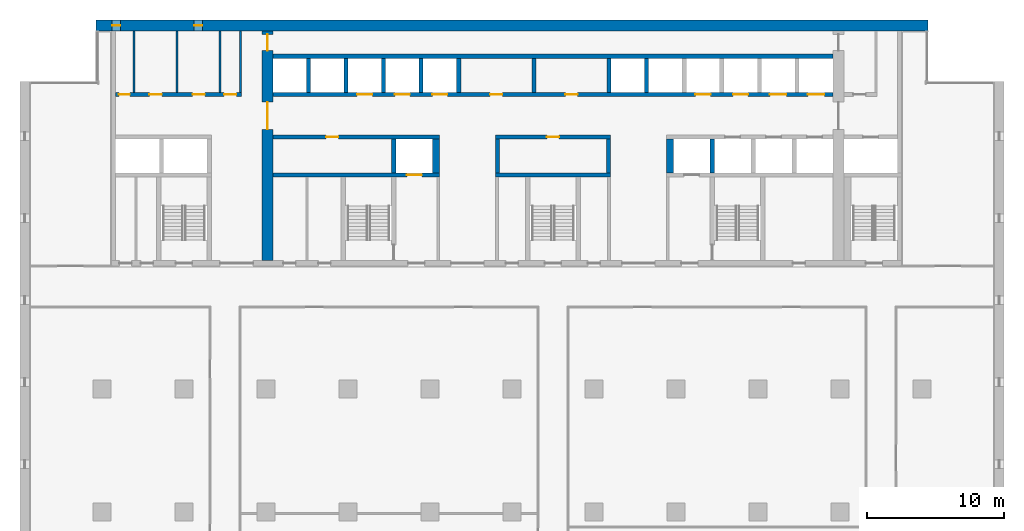
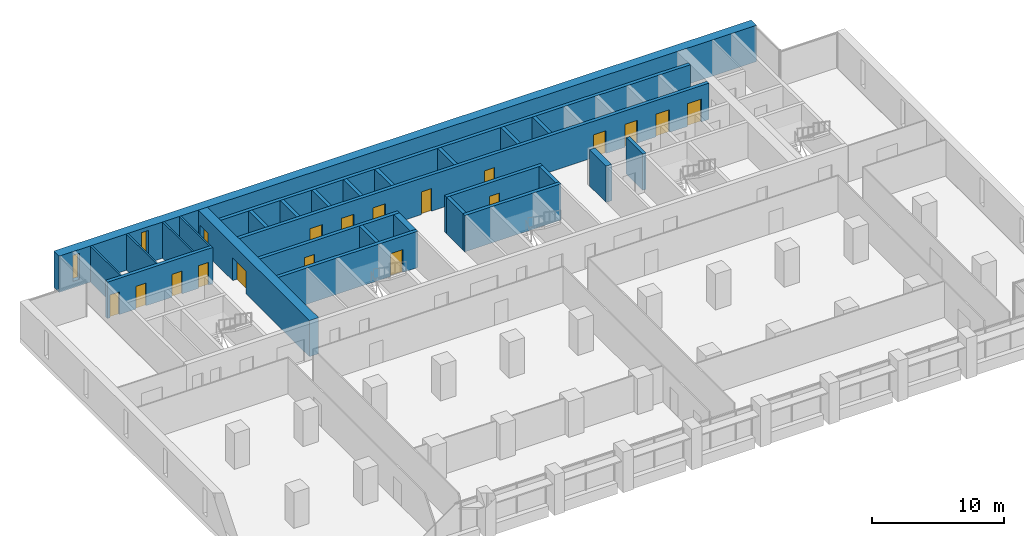
# One storey, part 10 of 15: 27 walls, 18 doors, 2 windows, 20 openings.
"""IFC4 building model written with IfcOpenShell, lengths in metres."""

from ifc_helpers import new_model, si_unit, direction, frame, frame_2d, origin, place, context, subcontext, project, spatial, rectangle, extrude, material, layer, layer_set, type_object, element, fill, save


model = new_model("IFC4")

# Units and contexts
model_context = context("Model", 3, precision=1e-05, world=origin(), true_north=direction((0.0, 1.0)))
body_context = subcontext(model_context, "Body", "Model", "MODEL_VIEW")
ifc_project = project(units=[si_unit("LENGTHUNIT", "METRE"), si_unit("AREAUNIT", "SQUARE_METRE"), si_unit("VOLUMEUNIT", "CUBIC_METRE"), si_unit("PLANEANGLEUNIT", "RADIAN"), si_unit("MASSUNIT", "GRAM", prefix="KILO")], contexts=[model_context])

# Site, building, storey
site_placement = place(None, origin())
site = spatial("IfcSite", under=ifc_project, at=site_placement, CompositionType="ELEMENT")
building_placement = place(site_placement, origin())
building = spatial("IfcBuilding", under=site, at=building_placement, Name="Calvaro Tower", CompositionType="ELEMENT")
storey_placement = place(building_placement, frame((0.0, 0.0, 117.5)))
storey = spatial("IfcBuildingStorey", under=building, at=storey_placement, Name="L29", CompositionType="ELEMENT", Elevation=117.5)

# Walls
ifc_material_1 = material(Name="Blockwork partition", Category="masonry")
ifc_layer_1 = layer(ifc_material_1, 0.14990234375)
ifc_layer_set_1 = layer_set([ifc_layer_1], Name="Blockwork partition")
wall_type_1 = type_object("IfcWallType", Name="Core partition 150 EI 60", PredefinedType="PARTITIONING", material=ifc_layer_set_1)
for number, where, z_axis, x_axis, name in (
    (1, (8.35009765625, 40.699951171875, 0.0), (0.0, 0.0, 1.0), (0.0, 1.0, 0.0), "Core partition"),
    (2, (11.5, 40.699951171875, 0.0), (0.0, 0.0, 1.0), (0.0, 1.0, 0.0), "Core partition"),
    (3, (14.64990234375, 40.699951171875, 0.0), (0.0, 0.0, 1.0), (0.0, 1.0, 0.0), "Core partition"),
):
    element("IfcWall", number, at=place(storey_placement, frame(where, z_axis=z_axis, x_axis=x_axis)), inside=storey, type_object=wall_type_1, Name=name, PredefinedType="PARTITIONING", context=body_context, shape_type="SweptSolid", body=[
        extrude(rectangle(XDim=4.5, YDim=0.14990234375, at=frame_2d((2.25, 0.0))), origin(), (0.0, 0.0, 1.0), 3.35009765625),
    ])
ifc_material_2 = material(Name="Blockwork partition", Category="masonry")
ifc_layer_2 = layer(ifc_material_2, 0.14990234375)
ifc_layer_set_2 = layer_set([ifc_layer_2], Name="Blockwork partition")
wall_type_2 = type_object("IfcWallType", Name="Core partition 150 REI 120", PredefinedType="PARTITIONING", material=ifc_layer_set_2)
wall_1_placement = place(storey_placement, frame((16.125, 40.699951171875, 0.0), z_axis=(0.0, 0.0, 1.0), x_axis=(0.0, 1.0, 0.0)))
element("IfcWall", 4, at=wall_1_placement, inside=storey, type_object=wall_type_2, Name="Core partition", PredefinedType="PARTITIONING", context=body_context, shape_type="SweptSolid", body=[
    extrude(rectangle(XDim=4.5, YDim=0.14990234375, at=frame_2d((2.25, 0.0))), origin(), (0.0, 0.0, 1.0), 3.35009765625),
])
ifc_material_3 = material(Name="Blockwork partition", Category="masonry")
ifc_layer_3 = layer(ifc_material_3, 0.300048828125)
ifc_layer_set_3 = layer_set([ifc_layer_3], Name="Blockwork partition")
wall_type_3 = type_object("IfcWallType", Name="Core partition 300 EI 60", PredefinedType="PARTITIONING", material=ifc_layer_set_3)
wall_2_placement = place(storey_placement, frame((37.60009765625, 40.699951171875, 0.0), z_axis=(0.0, 0.0, 1.0), x_axis=(0.0, 1.0, 0.0)))
element("IfcWall", 5, at=wall_2_placement, inside=storey, type_object=wall_type_3, Name="Core partition", PredefinedType="PARTITIONING", context=body_context, shape_type="SweptSolid", body=[
    extrude(rectangle(XDim=2.5, YDim=0.300048828125, at=frame_2d((1.25, 0.0))), origin(), (0.0, 0.0, 1.0), 3.35009765625),
])

# Wall, openings, doors
ifc_material_4 = material(Name="Blockwork partition", Category="masonry")
ifc_layer_4 = layer(ifc_material_4, 0.300048828125)
ifc_layer_set_4 = layer_set([ifc_layer_4], Name="Blockwork partition")
wall_type_4 = type_object("IfcWallType", Name="Core partition 300 REI 120", PredefinedType="PARTITIONING", material=ifc_layer_set_4)
wall_3_placement = place(storey_placement, frame((7.0, 40.550048828125, 0.0), z_axis=(0.0, 0.0, 1.0), x_axis=(1.0, 0.0, 0.0)))
wall_3 = element("IfcWall", 6, at=wall_3_placement, inside=storey, type_object=wall_type_4, Name="Core partition", PredefinedType="PARTITIONING", context=body_context, shape_type="SweptSolid", body=[
    extrude(rectangle(XDim=9.199951171875, YDim=0.300048828125, at=frame_2d((4.60009765625, 0.0))), origin(), (0.0, 0.0, 1.0), 3.35009765625),
])
opening_1_placement = place(wall_3_placement, frame((0.237548828125, 0.0, 0.0)))
opening_1 = element("IfcOpeningElement", 7, at=opening_1_placement, cuts=wall_3, Name="Opening RD8", PredefinedType="OPENING", context=body_context, shape_type="SweptSolid", body=[
    extrude(rectangle(XDim=0.800048828125, YDim=2.10009765625, at=frame_2d((0.39990234375, 1.050048828125))), frame((0.0, 0.159912109375, 0.0), z_axis=(0.0, -1.0, 0.0), x_axis=(1.0, 0.0, 0.0)), (0.0, 0.0, 1.0), 0.320068359375),
])
opening_2_placement = place(wall_3_placement, frame((2.47509765625, 0.0, 0.0)))
opening_2 = element("IfcOpeningElement", 8, at=opening_2_placement, cuts=wall_3, Name="Opening RD9", PredefinedType="OPENING", context=body_context, shape_type="SweptSolid", body=[
    extrude(rectangle(XDim=0.89990234375, YDim=2.10009765625, at=frame_2d((0.449951171875, 1.050048828125))), frame((0.0, 0.159912109375, 0.0), z_axis=(0.0, -1.0, 0.0), x_axis=(1.0, 0.0, 0.0)), (0.0, 0.0, 1.0), 0.320068359375),
])
opening_3_placement = place(wall_3_placement, frame((5.625, 0.0, 0.0)))
opening_3 = element("IfcOpeningElement", 9, at=opening_3_placement, cuts=wall_3, Name="Opening RD9", PredefinedType="OPENING", context=body_context, shape_type="SweptSolid", body=[
    extrude(rectangle(XDim=0.89990234375, YDim=2.10009765625, at=frame_2d((0.449951171875, 1.050048828125))), frame((0.0, 0.159912109375, 0.0), z_axis=(0.0, -1.0, 0.0), x_axis=(1.0, 0.0, 0.0)), (0.0, 0.0, 1.0), 0.320068359375),
])
opening_4_placement = place(wall_3_placement, frame((7.9375, 0.0, 0.0)))
opening_4 = element("IfcOpeningElement", 10, at=opening_4_placement, cuts=wall_3, Name="Opening RD9C", PredefinedType="OPENING", context=body_context, shape_type="SweptSolid", body=[
    extrude(rectangle(XDim=0.89990234375, YDim=2.10009765625, at=frame_2d((0.449951171875, 1.050048828125))), frame((0.0, 0.159912109375, 0.0), z_axis=(0.0, -1.0, 0.0), x_axis=(1.0, 0.0, 0.0)), (0.0, 0.0, 1.0), 0.320068359375),
])
ifc_material_5 = material(Name="Steel door set", Category="steel")
door_type_1 = type_object("IfcDoorType", Name="Room door 800", OperationType="SINGLE_SWING_LEFT", PredefinedType="DOOR", material=ifc_material_5)
door_1_placement = place(opening_1_placement, origin())
door_1 = element("IfcDoor", 11, at=door_1_placement, inside=storey, type_object=door_type_1, Name="Room door", OperationType="SINGLE_SWING_LEFT", OverallHeight=2.10009765625, OverallWidth=0.800048828125, PredefinedType="DOOR", context=body_context, shape_type="SweptSolid", body=[
    extrude(rectangle(XDim=0.800048828125, YDim=2.10009765625, at=frame_2d((0.39990234375, 1.050048828125))), frame((0.0, 0.02490234375, 0.0), z_axis=(0.0, -1.0, 0.0), x_axis=(1.0, 0.0, 0.0)), (0.0, 0.0, 1.0), 0.050048828125),
])
fill(opening_1, door_1)
ifc_material_6 = material(Name="Steel door set", Category="steel")
door_type_2 = type_object("IfcDoorType", Name="Room door 900", OperationType="SINGLE_SWING_LEFT", PredefinedType="DOOR", material=ifc_material_6)
door_2_placement = place(opening_2_placement, origin())
door_2 = element("IfcDoor", 12, at=door_2_placement, inside=storey, type_object=door_type_2, Name="Room door", OperationType="SINGLE_SWING_LEFT", OverallHeight=2.10009765625, OverallWidth=0.89990234375, PredefinedType="DOOR", context=body_context, shape_type="SweptSolid", body=[
    extrude(rectangle(XDim=0.89990234375, YDim=2.10009765625, at=frame_2d((0.449951171875, 1.050048828125))), frame((0.0, 0.02490234375, 0.0), z_axis=(0.0, -1.0, 0.0), x_axis=(1.0, 0.0, 0.0)), (0.0, 0.0, 1.0), 0.050048828125),
])
fill(opening_2, door_2)
door_3_placement = place(opening_3_placement, origin())
door_3 = element("IfcDoor", 13, at=door_3_placement, inside=storey, type_object=door_type_2, Name="Room door", OperationType="SINGLE_SWING_LEFT", OverallHeight=2.10009765625, OverallWidth=0.89990234375, PredefinedType="DOOR", context=body_context, shape_type="SweptSolid", body=[
    extrude(rectangle(XDim=0.89990234375, YDim=2.10009765625, at=frame_2d((0.449951171875, 1.050048828125))), frame((0.0, 0.02490234375, 0.0), z_axis=(0.0, -1.0, 0.0), x_axis=(1.0, 0.0, 0.0)), (0.0, 0.0, 1.0), 0.050048828125),
])
fill(opening_3, door_3)
ifc_material_7 = material(Name="Steel door set", Category="steel")
door_type_3 = type_object("IfcDoorType", Name="Room door 900 FD30", OperationType="SINGLE_SWING_LEFT", PredefinedType="DOOR", material=ifc_material_7)
door_4_placement = place(opening_4_placement, origin())
door_4 = element("IfcDoor", 14, at=door_4_placement, inside=storey, type_object=door_type_3, Name="Room door", OperationType="SINGLE_SWING_LEFT", OverallHeight=2.10009765625, OverallWidth=0.89990234375, PredefinedType="DOOR", context=body_context, shape_type="SweptSolid", body=[
    extrude(rectangle(XDim=0.89990234375, YDim=2.10009765625, at=frame_2d((0.449951171875, 1.050048828125))), frame((0.0, 0.02490234375, 0.0), z_axis=(0.0, -1.0, 0.0), x_axis=(1.0, 0.0, 0.0)), (0.0, 0.0, 1.0), 0.050048828125),
])
fill(opening_4, door_4)

# Wall, opening, door
ifc_material_8 = material(Name="Concrete C60/75", Category="concrete")
ifc_layer_5 = layer(ifc_material_8, 0.300048828125)
ifc_layer_set_5 = layer_set([ifc_layer_5], Name="Concrete C60/75")
wall_type_5 = type_object("IfcWallType", Name="Core wall C60/75 300", PredefinedType="SHEAR", material=ifc_layer_set_5)
wall_4_placement = place(storey_placement, frame((18.5, 34.64990234375, 0.0), z_axis=(0.0, 0.0, 1.0), x_axis=(1.0, 0.0, 0.0)))
wall_4 = element("IfcWall", 15, at=wall_4_placement, inside=storey, type_object=wall_type_5, Name="Core wall, lift shaft", PredefinedType="SHEAR", context=body_context, shape_type="SweptSolid", body=[
    extrude(rectangle(XDim=12.199951171875, YDim=0.300048828125, at=frame_2d((6.10009765625, 0.0))), origin(), (0.0, 0.0, 1.0), 3.35009765625),
])
opening_5_placement = place(wall_4_placement, frame((9.800048828125, 0.0, 0.0)))
opening_5 = element("IfcOpeningElement", 16, at=opening_5_placement, cuts=wall_4, Name="Opening FF1", PredefinedType="OPENING", context=body_context, shape_type="SweptSolid", body=[
    extrude(rectangle(XDim=1.10009765625, YDim=2.10009765625, at=frame_2d((0.550048828125, 1.050048828125))), frame((0.0, 0.159912109375, 0.0), z_axis=(0.0, -1.0, 0.0), x_axis=(1.0, 0.0, 0.0)), (0.0, 0.0, 1.0), 0.320068359375),
])
ifc_material_9 = material(Name="Stainless steel", Category="steel")
door_type_4 = type_object("IfcDoorType", Name="Landing door 1100 E 60", OperationType="SLIDING_TO_LEFT", PredefinedType="DOOR", material=ifc_material_9)
door_5_placement = place(opening_5_placement, origin())
door_5 = element("IfcDoor", 17, at=door_5_placement, inside=storey, type_object=door_type_4, Name="Landing door FF1", OperationType="SLIDING_TO_LEFT", OverallHeight=2.10009765625, OverallWidth=1.10009765625, PredefinedType="DOOR", context=body_context, shape_type="SweptSolid", body=[
    extrude(rectangle(XDim=1.10009765625, YDim=2.10009765625, at=frame_2d((0.550048828125, 1.050048828125))), frame((0.0, 0.02490234375, 0.0), z_axis=(0.0, -1.0, 0.0), x_axis=(1.0, 0.0, 0.0)), (0.0, 0.0, 1.0), 0.050048828125),
])
fill(opening_5, door_5)

# Wall
wall_5_placement = place(storey_placement, frame((34.800048828125, 34.64990234375, 0.0), z_axis=(0.0, 0.0, 1.0), x_axis=(1.0, 0.0, 0.0)))
element("IfcWall", 18, at=wall_5_placement, inside=storey, type_object=wall_type_5, Name="Core wall, lift shaft", PredefinedType="SHEAR", context=body_context, shape_type="SweptSolid", body=[
    extrude(rectangle(XDim=8.39990234375, YDim=0.300048828125, at=frame_2d((4.199951171875, 0.0))), origin(), (0.0, 0.0, 1.0), 3.35009765625),
])

# Wall, opening, door
wall_6_placement = place(storey_placement, frame((30.699951171875, 37.449951171875, 0.0), z_axis=(0.0, 0.0, 1.0), x_axis=(-1.0, 0.0, 0.0)))
wall_6 = element("IfcWall", 19, at=wall_6_placement, inside=storey, type_object=wall_type_5, Name="Core wall, bay", PredefinedType="SHEAR", context=body_context, shape_type="SweptSolid", body=[
    extrude(rectangle(XDim=12.199951171875, YDim=0.300048828125, at=frame_2d((6.10009765625, 0.0))), origin(), (0.0, 0.0, 1.0), 3.35009765625),
])
opening_6_placement = place(wall_6_placement, frame((7.39990234375, 0.0, 0.0)))
opening_6 = element("IfcOpeningElement", 20, at=opening_6_placement, cuts=wall_6, Name="Opening RD9E", PredefinedType="OPENING", context=body_context, shape_type="SweptSolid", body=[
    extrude(rectangle(XDim=0.89990234375, YDim=2.10009765625, at=frame_2d((0.449951171875, 1.050048828125))), frame((0.0, 0.159912109375, 0.0), z_axis=(0.0, -1.0, 0.0), x_axis=(1.0, 0.0, 0.0)), (0.0, 0.0, 1.0), 0.320068359375),
])
ifc_material_10 = material(Name="Steel door set", Category="steel")
door_type_5 = type_object("IfcDoorType", Name="Room door 900 FD60", OperationType="SINGLE_SWING_LEFT", PredefinedType="DOOR", material=ifc_material_10)
door_6_placement = place(opening_6_placement, origin())
door_6 = element("IfcDoor", 21, at=door_6_placement, inside=storey, type_object=door_type_5, Name="Room door", OperationType="SINGLE_SWING_LEFT", OverallHeight=2.10009765625, OverallWidth=0.89990234375, PredefinedType="DOOR", context=body_context, shape_type="SweptSolid", body=[
    extrude(rectangle(XDim=0.89990234375, YDim=2.10009765625, at=frame_2d((0.449951171875, 1.050048828125))), frame((0.0, 0.02490234375, 0.0), z_axis=(0.0, -1.0, 0.0), x_axis=(1.0, 0.0, 0.0)), (0.0, 0.0, 1.0), 0.050048828125),
])
fill(opening_6, door_6)

wall_7_placement = place(storey_placement, frame((43.199951171875, 37.449951171875, 0.0), z_axis=(0.0, 0.0, 1.0), x_axis=(-1.0, 0.0, 0.0)))
wall_7 = element("IfcWall", 22, at=wall_7_placement, inside=storey, type_object=wall_type_5, Name="Core wall, bay", PredefinedType="SHEAR", context=body_context, shape_type="SweptSolid", body=[
    extrude(rectangle(XDim=8.39990234375, YDim=0.300048828125, at=frame_2d((4.199951171875, 0.0))), origin(), (0.0, 0.0, 1.0), 3.35009765625),
])
opening_7_placement = place(wall_7_placement, frame((3.75, 0.0, 0.0)))
opening_7 = element("IfcOpeningElement", 23, at=opening_7_placement, cuts=wall_7, Name="Opening RD9C", PredefinedType="OPENING", context=body_context, shape_type="SweptSolid", body=[
    extrude(rectangle(XDim=0.89990234375, YDim=2.10009765625, at=frame_2d((0.449951171875, 1.050048828125))), frame((0.0, 0.159912109375, 0.0), z_axis=(0.0, -1.0, 0.0), x_axis=(1.0, 0.0, 0.0)), (0.0, 0.0, 1.0), 0.320068359375),
])
door_7_placement = place(opening_7_placement, origin())
door_7 = element("IfcDoor", 24, at=door_7_placement, inside=storey, type_object=door_type_3, Name="Room door", OperationType="SINGLE_SWING_RIGHT", OverallHeight=2.10009765625, OverallWidth=0.89990234375, PredefinedType="DOOR", context=body_context, shape_type="SweptSolid", body=[
    extrude(rectangle(XDim=0.89990234375, YDim=2.10009765625, at=frame_2d((0.449951171875, 1.050048828125))), frame((0.0, 0.02490234375, 0.0), z_axis=(0.0, -1.0, 0.0), x_axis=(1.0, 0.0, 0.0)), (0.0, 0.0, 1.0), 0.050048828125),
])
fill(opening_7, door_7)

# Walls
for number, where, z_axis, x_axis, name in (
    (25, (27.35009765625, 34.800048828125, 0.0), (0.0, 0.0, 1.0), (0.0, 1.0, 0.0), "Core wall, lift shaft"),
    (26, (34.949951171875, 34.800048828125, 0.0), (0.0, 0.0, 1.0), (0.0, 1.0, 0.0), "Core wall, lift shaft"),
    (27, (43.050048828125, 34.800048828125, 0.0), (0.0, 0.0, 1.0), (0.0, 1.0, 0.0), "Core wall, lift shaft"),
    (28, (50.64990234375, 34.800048828125, 0.0), (0.0, 0.0, 1.0), (0.0, 1.0, 0.0), "Core wall, lift shaft"),
):
    element("IfcWall", number, at=place(storey_placement, frame(where, z_axis=z_axis, x_axis=x_axis)), inside=storey, type_object=wall_type_5, Name=name, PredefinedType="SHEAR", context=body_context, shape_type="SweptSolid", body=[
        extrude(rectangle(XDim=2.5, YDim=0.300048828125, at=frame_2d((1.25, 0.0))), origin(), (0.0, 0.0, 1.0), 3.35009765625),
    ])

# Wall, openings, doors
wall_8_placement = place(storey_placement, frame((18.5, 40.550048828125, 0.0), z_axis=(0.0, 0.0, 1.0), x_axis=(1.0, 0.0, 0.0)))
wall_8 = element("IfcWall", 29, at=wall_8_placement, inside=storey, type_object=wall_type_5, Name="Core wall, bay", PredefinedType="SHEAR", context=body_context, shape_type="SweptSolid", body=[
    extrude(rectangle(XDim=41.0, YDim=0.300048828125, at=frame_2d((20.5, 0.0))), origin(), (0.0, 0.0, 1.0), 3.35009765625),
])
opening_8_placement = place(wall_8_placement, frame((15.89990234375, 0.0, 0.0)))
opening_8 = element("IfcOpeningElement", 30, at=opening_8_placement, cuts=wall_8, Name="Opening RD9E", PredefinedType="OPENING", context=body_context, shape_type="SweptSolid", body=[
    extrude(rectangle(XDim=0.89990234375, YDim=2.10009765625, at=frame_2d((0.449951171875, 1.050048828125))), frame((0.0, 0.159912109375, 0.0), z_axis=(0.0, -1.0, 0.0), x_axis=(1.0, 0.0, 0.0)), (0.0, 0.0, 1.0), 0.320068359375),
])
opening_9_placement = place(wall_8_placement, frame((21.39990234375, 0.0, 0.0)))
opening_9 = element("IfcOpeningElement", 31, at=opening_9_placement, cuts=wall_8, Name="Opening RD9C", PredefinedType="OPENING", context=body_context, shape_type="SweptSolid", body=[
    extrude(rectangle(XDim=0.89990234375, YDim=2.10009765625, at=frame_2d((0.449951171875, 1.050048828125))), frame((0.0, 0.159912109375, 0.0), z_axis=(0.0, -1.0, 0.0), x_axis=(1.0, 0.0, 0.0)), (0.0, 0.0, 1.0), 0.320068359375),
])
opening_10_placement = place(wall_8_placement, frame((6.175048828125, 0.0, 0.0)))
opening_10 = element("IfcOpeningElement", 32, at=opening_10_placement, cuts=wall_8, Name="Opening MR4", PredefinedType="OPENING", context=body_context, shape_type="SweptSolid", body=[
    extrude(rectangle(XDim=1.10009765625, YDim=2.10009765625, at=frame_2d((0.550048828125, 1.050048828125))), frame((0.0, 0.159912109375, 0.0), z_axis=(0.0, -1.0, 0.0), x_axis=(1.0, 0.0, 0.0)), (0.0, 0.0, 1.0), 0.320068359375),
])
opening_11_placement = place(wall_8_placement, frame((8.925048828125, 0.0, 0.0)))
opening_11 = element("IfcOpeningElement", 33, at=opening_11_placement, cuts=wall_8, Name="Opening MR5", PredefinedType="OPENING", context=body_context, shape_type="SweptSolid", body=[
    extrude(rectangle(XDim=1.10009765625, YDim=2.10009765625, at=frame_2d((0.550048828125, 1.050048828125))), frame((0.0, 0.159912109375, 0.0), z_axis=(0.0, -1.0, 0.0), x_axis=(1.0, 0.0, 0.0)), (0.0, 0.0, 1.0), 0.320068359375),
])
opening_12_placement = place(wall_8_placement, frame((11.675048828125, 0.0, 0.0)))
opening_12 = element("IfcOpeningElement", 34, at=opening_12_placement, cuts=wall_8, Name="Opening MR6", PredefinedType="OPENING", context=body_context, shape_type="SweptSolid", body=[
    extrude(rectangle(XDim=1.10009765625, YDim=2.10009765625, at=frame_2d((0.550048828125, 1.050048828125))), frame((0.0, 0.159912109375, 0.0), z_axis=(0.0, -1.0, 0.0), x_axis=(1.0, 0.0, 0.0)), (0.0, 0.0, 1.0), 0.320068359375),
])
opening_13_placement = place(wall_8_placement, frame((30.925048828125, 0.0, 0.0)))
opening_13 = element("IfcOpeningElement", 35, at=opening_13_placement, cuts=wall_8, Name="Opening MR7", PredefinedType="OPENING", context=body_context, shape_type="SweptSolid", body=[
    extrude(rectangle(XDim=1.10009765625, YDim=2.10009765625, at=frame_2d((0.550048828125, 1.050048828125))), frame((0.0, 0.159912109375, 0.0), z_axis=(0.0, -1.0, 0.0), x_axis=(1.0, 0.0, 0.0)), (0.0, 0.0, 1.0), 0.320068359375),
])
opening_14_placement = place(wall_8_placement, frame((33.675048828125, 0.0, 0.0)))
opening_14 = element("IfcOpeningElement", 36, at=opening_14_placement, cuts=wall_8, Name="Opening MR8", PredefinedType="OPENING", context=body_context, shape_type="SweptSolid", body=[
    extrude(rectangle(XDim=1.10009765625, YDim=2.10009765625, at=frame_2d((0.550048828125, 1.050048828125))), frame((0.0, 0.159912109375, 0.0), z_axis=(0.0, -1.0, 0.0), x_axis=(1.0, 0.0, 0.0)), (0.0, 0.0, 1.0), 0.320068359375),
])
opening_15_placement = place(wall_8_placement, frame((36.375, 0.0, 0.0)))
opening_15 = element("IfcOpeningElement", 37, at=opening_15_placement, cuts=wall_8, Name="Opening SV1", PredefinedType="OPENING", context=body_context, shape_type="SweptSolid", body=[
    extrude(rectangle(XDim=1.199951171875, YDim=2.10009765625, at=frame_2d((0.60009765625, 1.050048828125))), frame((0.0, 0.159912109375, 0.0), z_axis=(0.0, -1.0, 0.0), x_axis=(1.0, 0.0, 0.0)), (0.0, 0.0, 1.0), 0.320068359375),
])
opening_16_placement = place(wall_8_placement, frame((39.14990234375, 0.0, 0.0)))
opening_16 = element("IfcOpeningElement", 38, at=opening_16_placement, cuts=wall_8, Name="Opening SV2", PredefinedType="OPENING", context=body_context, shape_type="SweptSolid", body=[
    extrude(rectangle(XDim=1.199951171875, YDim=2.10009765625, at=frame_2d((0.60009765625, 1.050048828125))), frame((0.0, 0.159912109375, 0.0), z_axis=(0.0, -1.0, 0.0), x_axis=(1.0, 0.0, 0.0)), (0.0, 0.0, 1.0), 0.320068359375),
])
door_8_placement = place(opening_10_placement, origin())
door_8 = element("IfcDoor", 39, at=door_8_placement, inside=storey, type_object=door_type_4, Name="Landing door MR4", OperationType="SLIDING_TO_LEFT", OverallHeight=2.10009765625, OverallWidth=1.10009765625, PredefinedType="DOOR", context=body_context, shape_type="SweptSolid", body=[
    extrude(rectangle(XDim=1.10009765625, YDim=2.10009765625, at=frame_2d((0.550048828125, 1.050048828125))), frame((0.0, 0.02490234375, 0.0), z_axis=(0.0, -1.0, 0.0), x_axis=(1.0, 0.0, 0.0)), (0.0, 0.0, 1.0), 0.050048828125),
])
fill(opening_10, door_8)
door_9_placement = place(opening_11_placement, origin())
door_9 = element("IfcDoor", 40, at=door_9_placement, inside=storey, type_object=door_type_4, Name="Landing door MR5", OperationType="SLIDING_TO_LEFT", OverallHeight=2.10009765625, OverallWidth=1.10009765625, PredefinedType="DOOR", context=body_context, shape_type="SweptSolid", body=[
    extrude(rectangle(XDim=1.10009765625, YDim=2.10009765625, at=frame_2d((0.550048828125, 1.050048828125))), frame((0.0, 0.02490234375, 0.0), z_axis=(0.0, -1.0, 0.0), x_axis=(1.0, 0.0, 0.0)), (0.0, 0.0, 1.0), 0.050048828125),
])
fill(opening_11, door_9)
door_10_placement = place(opening_12_placement, origin())
door_10 = element("IfcDoor", 41, at=door_10_placement, inside=storey, type_object=door_type_4, Name="Landing door MR6", OperationType="SLIDING_TO_LEFT", OverallHeight=2.10009765625, OverallWidth=1.10009765625, PredefinedType="DOOR", context=body_context, shape_type="SweptSolid", body=[
    extrude(rectangle(XDim=1.10009765625, YDim=2.10009765625, at=frame_2d((0.550048828125, 1.050048828125))), frame((0.0, 0.02490234375, 0.0), z_axis=(0.0, -1.0, 0.0), x_axis=(1.0, 0.0, 0.0)), (0.0, 0.0, 1.0), 0.050048828125),
])
fill(opening_12, door_10)
door_11_placement = place(opening_13_placement, origin())
door_11 = element("IfcDoor", 42, at=door_11_placement, inside=storey, type_object=door_type_4, Name="Landing door MR7", OperationType="SLIDING_TO_LEFT", OverallHeight=2.10009765625, OverallWidth=1.10009765625, PredefinedType="DOOR", context=body_context, shape_type="SweptSolid", body=[
    extrude(rectangle(XDim=1.10009765625, YDim=2.10009765625, at=frame_2d((0.550048828125, 1.050048828125))), frame((0.0, 0.02490234375, 0.0), z_axis=(0.0, -1.0, 0.0), x_axis=(1.0, 0.0, 0.0)), (0.0, 0.0, 1.0), 0.050048828125),
])
fill(opening_13, door_11)
door_12_placement = place(opening_14_placement, origin())
door_12 = element("IfcDoor", 43, at=door_12_placement, inside=storey, type_object=door_type_4, Name="Landing door MR8", OperationType="SLIDING_TO_LEFT", OverallHeight=2.10009765625, OverallWidth=1.10009765625, PredefinedType="DOOR", context=body_context, shape_type="SweptSolid", body=[
    extrude(rectangle(XDim=1.10009765625, YDim=2.10009765625, at=frame_2d((0.550048828125, 1.050048828125))), frame((0.0, 0.02490234375, 0.0), z_axis=(0.0, -1.0, 0.0), x_axis=(1.0, 0.0, 0.0)), (0.0, 0.0, 1.0), 0.050048828125),
])
fill(opening_14, door_12)
ifc_material_11 = material(Name="Stainless steel", Category="steel")
door_type_6 = type_object("IfcDoorType", Name="Landing door 1200 E 60", OperationType="SLIDING_TO_LEFT", PredefinedType="DOOR", material=ifc_material_11)
door_13_placement = place(opening_15_placement, origin())
door_13 = element("IfcDoor", 44, at=door_13_placement, inside=storey, type_object=door_type_6, Name="Landing door SV1", OperationType="SLIDING_TO_LEFT", OverallHeight=2.10009765625, OverallWidth=1.199951171875, PredefinedType="DOOR", context=body_context, shape_type="SweptSolid", body=[
    extrude(rectangle(XDim=1.199951171875, YDim=2.10009765625, at=frame_2d((0.60009765625, 1.050048828125))), frame((0.0, 0.02490234375, 0.0), z_axis=(0.0, -1.0, 0.0), x_axis=(1.0, 0.0, 0.0)), (0.0, 0.0, 1.0), 0.050048828125),
])
fill(opening_15, door_13)
door_14_placement = place(opening_16_placement, origin())
door_14 = element("IfcDoor", 45, at=door_14_placement, inside=storey, type_object=door_type_6, Name="Landing door SV2", OperationType="SLIDING_TO_LEFT", OverallHeight=2.10009765625, OverallWidth=1.199951171875, PredefinedType="DOOR", context=body_context, shape_type="SweptSolid", body=[
    extrude(rectangle(XDim=1.199951171875, YDim=2.10009765625, at=frame_2d((0.60009765625, 1.050048828125))), frame((0.0, 0.02490234375, 0.0), z_axis=(0.0, -1.0, 0.0), x_axis=(1.0, 0.0, 0.0)), (0.0, 0.0, 1.0), 0.050048828125),
])
fill(opening_16, door_14)
door_15_placement = place(opening_9_placement, origin())
door_15 = element("IfcDoor", 46, at=door_15_placement, inside=storey, type_object=door_type_3, Name="Room door", OperationType="SINGLE_SWING_LEFT", OverallHeight=2.10009765625, OverallWidth=0.89990234375, PredefinedType="DOOR", context=body_context, shape_type="SweptSolid", body=[
    extrude(rectangle(XDim=0.89990234375, YDim=2.10009765625, at=frame_2d((0.449951171875, 1.050048828125))), frame((0.0, 0.02490234375, 0.0), z_axis=(0.0, -1.0, 0.0), x_axis=(1.0, 0.0, 0.0)), (0.0, 0.0, 1.0), 0.050048828125),
])
fill(opening_9, door_15)
door_16_placement = place(opening_8_placement, origin())
door_16 = element("IfcDoor", 47, at=door_16_placement, inside=storey, type_object=door_type_5, Name="Room door", OperationType="SINGLE_SWING_LEFT", OverallHeight=2.10009765625, OverallWidth=0.89990234375, PredefinedType="DOOR", context=body_context, shape_type="SweptSolid", body=[
    extrude(rectangle(XDim=0.89990234375, YDim=2.10009765625, at=frame_2d((0.449951171875, 1.050048828125))), frame((0.0, 0.02490234375, 0.0), z_axis=(0.0, -1.0, 0.0), x_axis=(1.0, 0.0, 0.0)), (0.0, 0.0, 1.0), 0.050048828125),
])
fill(opening_8, door_16)

# Walls
wall_9_placement = place(storey_placement, frame((18.5, 43.35009765625, 0.0), z_axis=(0.0, 0.0, 1.0), x_axis=(1.0, 0.0, 0.0)))
element("IfcWall", 48, at=wall_9_placement, inside=storey, type_object=wall_type_5, Name="Core wall, lift shaft", PredefinedType="SHEAR", context=body_context, shape_type="SweptSolid", body=[
    extrude(rectangle(XDim=41.0, YDim=0.300048828125, at=frame_2d((20.5, 0.0))), origin(), (0.0, 0.0, 1.0), 3.35009765625),
])
for number, where, z_axis, x_axis, name in (
    (49, (21.10009765625, 40.699951171875, 0.0), (0.0, 0.0, 1.0), (0.0, 1.0, 0.0), "Core wall, lift shaft"),
    (50, (23.85009765625, 40.699951171875, 0.0), (0.0, 0.0, 1.0), (0.0, 1.0, 0.0), "Core wall, lift shaft"),
    (51, (26.60009765625, 40.699951171875, 0.0), (0.0, 0.0, 1.0), (0.0, 1.0, 0.0), "Core wall, lift shaft"),
    (52, (29.35009765625, 40.699951171875, 0.0), (0.0, 0.0, 1.0), (0.0, 1.0, 0.0), "Core wall, lift shaft"),
    (53, (32.10009765625, 40.699951171875, 0.0), (0.0, 0.0, 1.0), (0.0, 1.0, 0.0), "Core wall, lift shaft"),
    (54, (43.10009765625, 40.699951171875, 0.0), (0.0, 0.0, 1.0), (0.0, 1.0, 0.0), "Core wall, lift shaft"),
    (55, (45.85009765625, 40.699951171875, 0.0), (0.0, 0.0, 1.0), (0.0, 1.0, 0.0), "Core wall, lift shaft"),
):
    element("IfcWall", number, at=place(storey_placement, frame(where, z_axis=z_axis, x_axis=x_axis)), inside=storey, type_object=wall_type_5, Name=name, PredefinedType="SHEAR", context=body_context, shape_type="SweptSolid", body=[
        extrude(rectangle(XDim=2.5, YDim=0.300048828125, at=frame_2d((1.25, 0.0))), origin(), (0.0, 0.0, 1.0), 3.35009765625),
    ])
ifc_material_12 = material(Name="Concrete C60/75", Category="concrete")
ifc_layer_6 = layer(ifc_material_12, 0.5)
ifc_layer_set_6 = layer_set([ifc_layer_6], Name="Concrete C60/75")
wall_type_6 = type_object("IfcWallType", Name="Core wall C60/75 500", PredefinedType="SHEAR", material=ifc_layer_set_6)
for number, where, z_axis, x_axis, name in (
    (56, (30.449951171875, 34.800048828125, 0.0), (0.0, 0.0, 1.0), (0.0, 1.0, 0.0), "Core wall, lift shaft"),
    (57, (47.550048828125, 34.800048828125, 0.0), (0.0, 0.0, 1.0), (0.0, 1.0, 0.0), "Core wall, lift shaft"),
):
    element("IfcWall", number, at=place(storey_placement, frame(where, z_axis=z_axis, x_axis=x_axis)), inside=storey, type_object=wall_type_6, Name=name, PredefinedType="SHEAR", context=body_context, shape_type="SweptSolid", body=[
        extrude(rectangle(XDim=2.5, YDim=0.5, at=frame_2d((1.25, 0.0))), origin(), (0.0, 0.0, 1.0), 3.35009765625),
    ])

# Wall, openings, doors
ifc_material_13 = material(Name="Concrete C60/75", Category="concrete")
ifc_layer_7 = layer(ifc_material_13, 0.800048828125)
ifc_layer_set_7 = layer_set([ifc_layer_7], Name="Concrete C60/75")
wall_type_7 = type_object("IfcWallType", Name="Core wall C60/75 800", PredefinedType="SHEAR", material=ifc_layer_set_7)
wall_10_placement = place(storey_placement, frame((18.10009765625, 28.39990234375, 0.0), z_axis=(0.0, 0.0, 1.0), x_axis=(0.0, 1.0, 0.0)))
wall_10 = element("IfcWall", 58, at=wall_10_placement, inside=storey, type_object=wall_type_7, Name="Core wall, cross shear wall", PredefinedType="SHEAR", context=body_context, shape_type="SweptSolid", body=[
    extrude(rectangle(XDim=16.800048828125, YDim=0.800048828125, at=frame_2d((8.39990234375, 0.0))), origin(), (0.0, 0.0, 1.0), 3.35009765625),
])
opening_17_placement = place(wall_10_placement, frame((9.60009765625, 0.0, 0.0)))
opening_17 = element("IfcOpeningElement", 59, at=opening_17_placement, cuts=wall_10, Name="Opening DD20D", PredefinedType="OPENING", context=body_context, shape_type="SweptSolid", body=[
    extrude(rectangle(XDim=2.0, YDim=2.10009765625, at=frame_2d((1.0, 1.050048828125))), frame((0.0, 0.409912109375, 0.0), z_axis=(0.0, -1.0, 0.0), x_axis=(1.0, 0.0, 0.0)), (0.0, 0.0, 1.0), 0.820068359375),
])
opening_18_placement = place(wall_10_placement, frame((15.35009765625, 0.0, 0.0)))
opening_18 = element("IfcOpeningElement", 60, at=opening_18_placement, cuts=wall_10, Name="Opening FD12C", PredefinedType="OPENING", context=body_context, shape_type="SweptSolid", body=[
    extrude(rectangle(XDim=1.199951171875, YDim=2.10009765625, at=frame_2d((0.60009765625, 1.050048828125))), frame((0.0, 0.409912109375, 0.0), z_axis=(0.0, -1.0, 0.0), x_axis=(1.0, 0.0, 0.0)), (0.0, 0.0, 1.0), 0.820068359375),
])
ifc_material_14 = material(Name="Steel door set", Category="steel")
door_type_7 = type_object("IfcDoorType", Name="Fire door 1200 FD30", OperationType="SINGLE_SWING_LEFT", PredefinedType="DOOR", material=ifc_material_14)
door_17_placement = place(opening_18_placement, origin())
door_17 = element("IfcDoor", 61, at=door_17_placement, inside=storey, type_object=door_type_7, Name="Fire door", OperationType="SINGLE_SWING_LEFT", OverallHeight=2.10009765625, OverallWidth=1.199951171875, PredefinedType="DOOR", context=body_context, shape_type="SweptSolid", body=[
    extrude(rectangle(XDim=1.199951171875, YDim=2.10009765625, at=frame_2d((0.60009765625, 1.050048828125))), frame((0.0, 0.02490234375, 0.0), z_axis=(0.0, -1.0, 0.0), x_axis=(1.0, 0.0, 0.0)), (0.0, 0.0, 1.0), 0.050048828125),
])
fill(opening_18, door_17)
ifc_material_15 = material(Name="Steel door set", Category="steel")
door_type_8 = type_object("IfcDoorType", Name="Lobby double door 2000 FD30S", OperationType="DOUBLE_DOOR_SINGLE_SWING", PredefinedType="DOOR", material=ifc_material_15)
door_18_placement = place(opening_17_placement, origin())
door_18 = element("IfcDoor", 62, at=door_18_placement, inside=storey, type_object=door_type_8, Name="Lobby double door", OperationType="DOUBLE_DOOR_SINGLE_SWING", OverallHeight=2.10009765625, OverallWidth=2.0, PredefinedType="DOOR", context=body_context, shape_type="SweptSolid", body=[
    extrude(rectangle(XDim=2.0, YDim=2.10009765625, at=frame_2d((1.0, 1.050048828125))), frame((0.0, 0.02490234375, 0.0), z_axis=(0.0, -1.0, 0.0), x_axis=(1.0, 0.0, 0.0)), (0.0, 0.0, 1.0), 0.050048828125),
])
fill(opening_17, door_18)

# Wall, openings, windows
ifc_material_16 = material(Name="Concrete C60/75", Category="concrete")
ifc_layer_8 = layer(ifc_material_16, 0.800048828125)
ifc_layer_set_8 = layer_set([ifc_layer_8], Name="Concrete C60/75")
wall_type_8 = type_object("IfcWallType", Name="Rear core wall 800 C60/75", PredefinedType="SHEAR", material=ifc_layer_set_8)
wall_11_placement = place(storey_placement, frame((5.550048828125, 45.60009765625, 0.0), z_axis=(0.0, 0.0, 1.0), x_axis=(1.0, 0.0, 0.0)))
wall_11 = element("IfcWall", 63, at=wall_11_placement, inside=storey, type_object=wall_type_8, Name="North core wall", PredefinedType="SHEAR", context=body_context, shape_type="SweptSolid", body=[
    extrude(rectangle(XDim=60.89990234375, YDim=0.800048828125, at=frame_2d((30.449951171875, 0.0))), origin(), (0.0, 0.0, 1.0), 3.35009765625),
])
opening_19_placement = place(wall_11_placement, frame((1.199951171875, 0.0, 0.60009765625)))
opening_19 = element("IfcOpeningElement", 64, at=opening_19_placement, cuts=wall_11, Name="Opening WN01", PredefinedType="OPENING", context=body_context, shape_type="SweptSolid", body=[
    extrude(rectangle(XDim=0.60009765625, YDim=2.39990234375, at=frame_2d((0.300048828125, 1.199951171875))), frame((0.0, 0.409912109375, 0.0), z_axis=(0.0, -1.0, 0.0), x_axis=(1.0, 0.0, 0.0)), (0.0, 0.0, 1.0), 0.820068359375),
])
opening_20_placement = place(wall_11_placement, frame((7.199951171875, 0.0, 0.60009765625)))
opening_20 = element("IfcOpeningElement", 65, at=opening_20_placement, cuts=wall_11, Name="Opening WN02", PredefinedType="OPENING", context=body_context, shape_type="SweptSolid", body=[
    extrude(rectangle(XDim=0.60009765625, YDim=2.39990234375, at=frame_2d((0.300048828125, 1.199951171875))), frame((0.0, 0.409912109375, 0.0), z_axis=(0.0, -1.0, 0.0), x_axis=(1.0, 0.0, 0.0)), (0.0, 0.0, 1.0), 0.820068359375),
])
ifc_material_17 = material(Name="Glass", Category="glass")
window_type = type_object("IfcWindowType", Name="Slit window 600 x 2400", PartitioningType="SINGLE_PANEL", PredefinedType="WINDOW", material=ifc_material_17)
window_1_placement = place(opening_19_placement, origin())
window_1 = element("IfcWindow", 66, at=window_1_placement, inside=storey, type_object=window_type, Name="Window WN01", OverallHeight=2.39990234375, OverallWidth=0.60009765625, PartitioningType="SINGLE_PANEL", PredefinedType="WINDOW", context=body_context, shape_type="SweptSolid", body=[
    extrude(rectangle(XDim=0.60009765625, YDim=2.39990234375, at=frame_2d((0.300048828125, 1.199951171875))), frame((0.0, 0.030029296875, 0.0), z_axis=(0.0, -1.0, 0.0), x_axis=(1.0, 0.0, 0.0)), (0.0, 0.0, 1.0), 0.06005859375),
])
fill(opening_19, window_1)
window_2_placement = place(opening_20_placement, origin())
window_2 = element("IfcWindow", 67, at=window_2_placement, inside=storey, type_object=window_type, Name="Window WN02", OverallHeight=2.39990234375, OverallWidth=0.60009765625, PartitioningType="SINGLE_PANEL", PredefinedType="WINDOW", context=body_context, shape_type="SweptSolid", body=[
    extrude(rectangle(XDim=0.60009765625, YDim=2.39990234375, at=frame_2d((0.300048828125, 1.199951171875))), frame((0.0, 0.030029296875, 0.0), z_axis=(0.0, -1.0, 0.0), x_axis=(1.0, 0.0, 0.0)), (0.0, 0.0, 1.0), 0.06005859375),
])
fill(opening_20, window_2)

save(model, "model.ifc")
